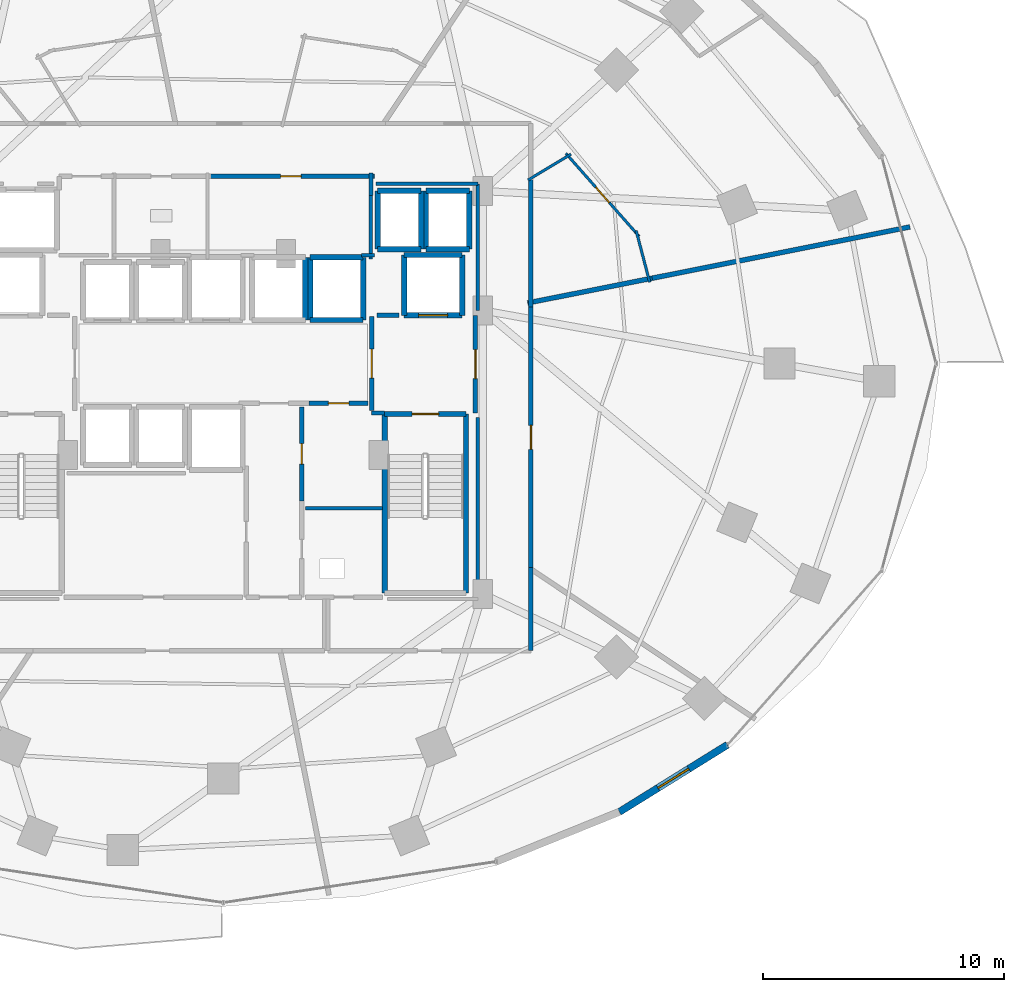
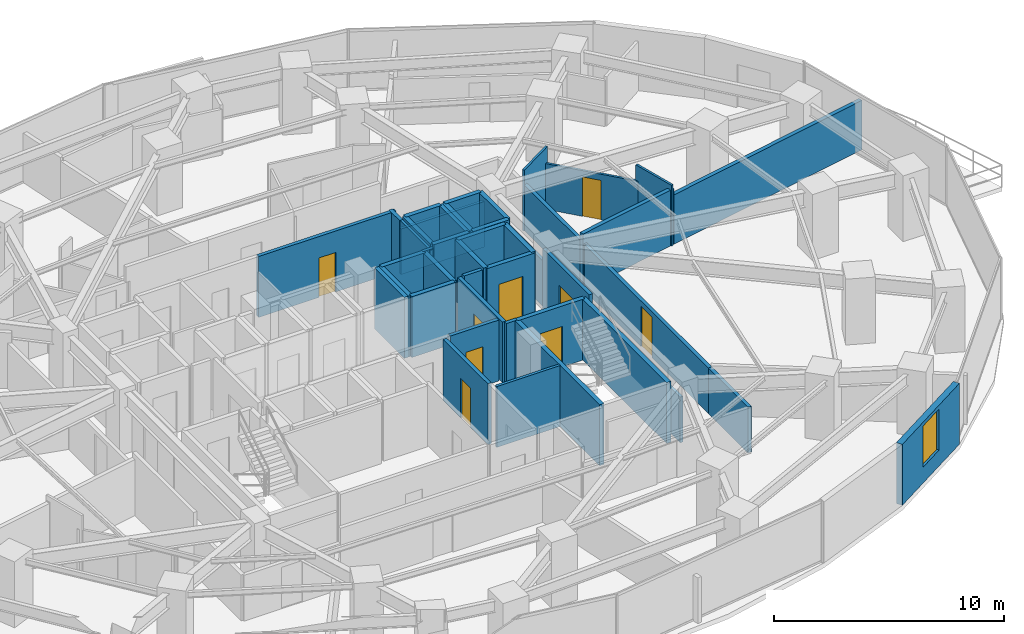
# One storey, part 28 of 33: 43 walls, 9 doors, 1 window, 10 openings.
"""IFC4 building model written with IfcOpenShell, lengths in metres."""

from ifc_helpers import new_model, si_unit, direction, frame, frame_2d, origin, place, context, subcontext, project, spatial, rectangle, extrude, material, layer, layer_set, type_object, element, fill, save


model = new_model("IFC4")

# Units and contexts
model_context = context("Model", 3, precision=1e-05, world=origin(), true_north=direction((0.0, 1.0)))
body_context = subcontext(model_context, "Body", "Model", "MODEL_VIEW")
ifc_project = project(units=[si_unit("LENGTHUNIT", "METRE"), si_unit("AREAUNIT", "SQUARE_METRE"), si_unit("VOLUMEUNIT", "CUBIC_METRE"), si_unit("PLANEANGLEUNIT", "RADIAN"), si_unit("MASSUNIT", "GRAM", prefix="KILO")], contexts=[model_context])

# Site, building, storey
site_placement = place(None, origin())
site = spatial("IfcSite", under=ifc_project, at=site_placement, CompositionType="ELEMENT")
building_placement = place(site_placement, origin())
building = spatial("IfcBuilding", under=site, at=building_placement, Name="Vorneva Point Tower", CompositionType="ELEMENT")
storey_placement = place(building_placement, frame((0.0, 0.0, 34.5)))
storey = spatial("IfcBuildingStorey", under=building, at=storey_placement, Name="L08", CompositionType="ELEMENT", Elevation=34.5)

# Wall, opening, door
ifc_material_1 = material(Name="Concrete B60 (C50/60)", Category="concrete")
ifc_layer_1 = layer(ifc_material_1, 0.5)
ifc_layer_set_1 = layer_set([ifc_layer_1], Name="Concrete B60 (C50/60)")
wall_type_1 = type_object("IfcWallType", Name="WL-CORE-500", PredefinedType="SHEAR", material=ifc_layer_set_1)
wall_1_placement = place(storey_placement, frame((45.5, 28.0, 0.0), z_axis=(0.0, 0.0, 1.0), x_axis=(1.0, 0.0, 0.0)))
wall_1 = element("IfcWall", 1, at=wall_1_placement, inside=storey, type_object=wall_type_1, Name="L08 Lift FFL2 Shaft Wall -Y", PredefinedType="SHEAR", context=body_context, shape_type="SweptSolid", body=[
    extrude(rectangle(XDim=2.39990234375, YDim=0.219970703125, at=frame_2d((1.199951171875, 0.0))), origin(), (0.0, 0.0, 1.0), 3.239990234375),
])
opening_1_placement = place(wall_1_placement, frame((0.60009765625, 0.0, 0.0)))
opening_1 = element("IfcOpeningElement", 2, at=opening_1_placement, cuts=wall_1, Name="Opening LD-02", PredefinedType="OPENING", context=body_context, shape_type="SweptSolid", body=[
    extrude(rectangle(XDim=1.199951171875, YDim=2.199951171875, at=frame_2d((0.60009765625, 1.10009765625))), frame((0.0, 0.125, 0.0), z_axis=(0.0, -1.0, 0.0), x_axis=(1.0, 0.0, 0.0)), (0.0, 0.0, 1.0), 0.249755859375),
])
ifc_material_2 = material(Name="Brushed stainless steel S304", Category="steel")
door_type_1 = type_object("IfcDoorType", Name="LD-FIRE-1200", OperationType="SLIDING_TO_LEFT", PredefinedType="DOOR", material=ifc_material_2)
door_1_placement = place(opening_1_placement, origin())
door_1 = element("IfcDoor", 3, at=door_1_placement, inside=storey, type_object=door_type_1, Name="L08 Lift FFL2 Sliding Landing Door", OperationType="SLIDING_TO_LEFT", OverallHeight=2.199951171875, OverallWidth=1.199951171875, PredefinedType="DOOR", context=body_context, shape_type="SweptSolid", body=[
    extrude(rectangle(XDim=1.199951171875, YDim=2.199951171875, at=frame_2d((0.60009765625, 1.10009765625))), frame((0.0, 0.02490234375, 0.0), z_axis=(0.0, -1.0, 0.0), x_axis=(1.0, 0.0, 0.0)), (0.0, 0.0, 1.0), 0.050048828125),
])
fill(opening_1, door_1)

# Walls
wall_2_placement = place(storey_placement, frame((47.89990234375, 28.0, 0.0), z_axis=(0.0, 0.0, 1.0), x_axis=(0.0, 1.0, 0.0)))
element("IfcWall", 4, at=wall_2_placement, inside=storey, type_object=wall_type_1, Name="L08 Lift FFL2 Shaft Wall +X", PredefinedType="SHEAR", context=body_context, shape_type="SweptSolid", body=[
    extrude(rectangle(XDim=2.5, YDim=0.219970703125, at=frame_2d((1.25, 0.0))), origin(), (0.0, 0.0, 1.0), 3.239990234375),
])
wall_3_placement = place(storey_placement, frame((47.89990234375, 30.5, 0.0), z_axis=(0.0, 0.0, 1.0), x_axis=(-1.0, 0.0, 0.0)))
element("IfcWall", 5, at=wall_3_placement, inside=storey, type_object=wall_type_1, Name="L08 Lift FFL2 Shaft Wall +Y", PredefinedType="SHEAR", context=body_context, shape_type="SweptSolid", body=[
    extrude(rectangle(XDim=2.39990234375, YDim=0.219970703125, at=frame_2d((1.199951171875, 0.0))), origin(), (0.0, 0.0, 1.0), 3.239990234375),
])
wall_4_placement = place(storey_placement, frame((45.5, 30.5, 0.0), z_axis=(0.0, 0.0, 1.0), x_axis=(0.0, -1.0, 0.0)))
element("IfcWall", 6, at=wall_4_placement, inside=storey, type_object=wall_type_1, Name="L08 Lift FFL2 Shaft Wall -X", PredefinedType="SHEAR", context=body_context, shape_type="SweptSolid", body=[
    extrude(rectangle(XDim=2.5, YDim=0.219970703125, at=frame_2d((1.25, 0.0))), origin(), (0.0, 0.0, 1.0), 3.239990234375),
])

# Wall, opening, window
ifc_material_3 = material(Name="Precast concrete B50 (C40/50)", Category="concrete")
ifc_layer_2 = layer(ifc_material_3, 0.300048828125)
ifc_layer_set_2 = layer_set([ifc_layer_2], Name="Precast concrete B50 (C40/50)")
wall_type_2 = type_object("IfcWallType", Name="WL-EXT-300", PredefinedType="STANDARD", material=ifc_layer_set_2)
wall_5_placement = place(storey_placement, frame((54.4169921875, 7.416748046875, 0.0), z_axis=(0.0, 0.0, 1.0), x_axis=(0.849633724826, 0.527373239404, 0.0)))
wall_5 = element("IfcWall", 7, at=wall_5_placement, inside=storey, type_object=wall_type_2, Name="L08 Pale-Metal Facade Spandrel Wall 14.2", PredefinedType="STANDARD", context=body_context, shape_type="SweptSolid", body=[
    extrude(rectangle(XDim=5.2705078125, YDim=0.300048828125, at=frame_2d((2.63525390625, 0.0))), origin(), (0.0, 0.0, 1.0), 3.239990234375),
])
opening_2_placement = place(wall_5_placement, frame((1.88525390625, 0.0, 0.85009765625)))
opening_2 = element("IfcOpeningElement", 8, at=opening_2_placement, cuts=wall_5, Name="Opening W-02", PredefinedType="OPENING", context=body_context, shape_type="SweptSolid", body=[
    extrude(rectangle(XDim=1.5, YDim=2.18994140625, at=frame_2d((0.75, 1.094970703125))), frame((0.0, 0.1650390625, 0.0), z_axis=(0.0, -1.0, 0.0), x_axis=(1.0, 0.0, 0.0)), (0.0, 0.0, 1.0), 0.329833984375),
])
ifc_material_4 = material(Name="Double low-e laminated glass IGU", Category="glass")
window_type = type_object("IfcWindowType", Name="WN-HTL-1500", PartitioningType="SINGLE_PANEL", PredefinedType="WINDOW", material=ifc_material_4)
window_placement = place(opening_2_placement, origin())
window = element("IfcWindow", 9, at=window_placement, inside=storey, type_object=window_type, Name="L08 Facade Window 14", OverallHeight=2.18994140625, OverallWidth=1.5, PartitioningType="SINGLE_PANEL", PredefinedType="WINDOW", context=body_context, shape_type="SweptSolid", body=[
    extrude(rectangle(XDim=1.5, YDim=2.18994140625, at=frame_2d((0.75, 1.094970703125))), frame((0.0, 0.030029296875, 0.0), z_axis=(0.0, -1.0, 0.0), x_axis=(1.0, 0.0, 0.0)), (0.0, 0.0, 1.0), 0.06005859375),
])
fill(opening_2, window)

# Wall
ifc_material_5 = material(Name="Fire-rated acoustic gypsum stud partition", Category="gypsum")
ifc_layer_3 = layer(ifc_material_5, 0.110107421875)
ifc_layer_set_3 = layer_set([ifc_layer_3], Name="Fire-rated acoustic gypsum stud partition")
wall_type_3 = type_object("IfcWallType", Name="WL-PART-110", PredefinedType="PARTITIONING", material=ifc_layer_set_3)
wall_6_placement = place(storey_placement, frame((50.630126953125, 33.603759765625, 0.0), z_axis=(0.0, 0.0, 1.0), x_axis=(0.856631627837, 0.515928535932, 0.0)))
element("IfcWall", 10, at=wall_6_placement, inside=storey, type_object=wall_type_3, Name="L08 Interior Partition 043", PredefinedType="PARTITIONING", context=body_context, shape_type="SweptSolid", body=[
    extrude(rectangle(XDim=2.078857421875, YDim=0.110107421875, at=frame_2d((1.03955078125, 0.0))), origin(), (0.0, 0.0, 1.0), 3.239990234375),
])

# Wall, opening, door
wall_7_placement = place(storey_placement, frame((52.1982421875, 34.708984375, 0.0), z_axis=(0.0, 0.0, 1.0), x_axis=(0.662071486681, -0.74944068913, 0.0)))
wall_7 = element("IfcWall", 11, at=wall_7_placement, inside=storey, type_object=wall_type_3, Name="L08 Interior Partition 044", PredefinedType="PARTITIONING", context=body_context, shape_type="SweptSolid", body=[
    extrude(rectangle(XDim=4.593994140625, YDim=0.110107421875, at=frame_2d((2.296875, 0.0))), origin(), (0.0, 0.0, 1.0), 2.431884765625),
])
opening_3_placement = place(wall_7_placement, frame((1.871826171875, 0.0, 0.0)))
opening_3 = element("IfcOpeningElement", 12, at=opening_3_placement, cuts=wall_7, Name="Opening ID-02", PredefinedType="OPENING", context=body_context, shape_type="SweptSolid", body=[
    extrude(rectangle(XDim=0.85009765625, YDim=2.10009765625, at=frame_2d((0.425048828125, 1.050048828125))), frame((0.0, 0.06982421875, 0.0), z_axis=(0.0, -1.0, 0.0), x_axis=(1.0, 0.0, 0.0)), (0.0, 0.0, 1.0), 0.139892578125),
])
ifc_material_6 = material(Name="Engineered oak fire-rated door leaf", Category="wood")
door_type_2 = type_object("IfcDoorType", Name="DR-BATH-850", OperationType="NOTDEFINED", PredefinedType="DOOR", material=ifc_material_6)
door_2_placement = place(opening_3_placement, origin())
door_2 = element("IfcDoor", 13, at=door_2_placement, inside=storey, type_object=door_type_2, Name="L08 Door Executive Suite L08-01 / En-Suite Bathroom L08-01", OperationType="SINGLE_SWING_RIGHT", OverallHeight=2.10009765625, OverallWidth=0.85009765625, PredefinedType="DOOR", context=body_context, shape_type="SweptSolid", body=[
    extrude(rectangle(XDim=0.85009765625, YDim=2.10009765625, at=frame_2d((0.425048828125, 1.050048828125))), frame((0.0, 0.02490234375, 0.0), z_axis=(0.0, -1.0, 0.0), x_axis=(1.0, 0.0, 0.0)), (0.0, 0.0, 1.0), 0.050048828125),
])
fill(opening_3, door_2)

# Walls
wall_8_placement = place(storey_placement, frame((55.111328125, 31.50634765625, 0.0), z_axis=(0.0, 0.0, 1.0), x_axis=(0.254389812051, -0.967101764823, 0.0)))
element("IfcWall", 14, at=wall_8_placement, inside=storey, type_object=wall_type_3, Name="L08 Interior Partition 045", PredefinedType="PARTITIONING", context=body_context, shape_type="SweptSolid", body=[
    extrude(rectangle(XDim=2.206298828125, YDim=0.110107421875, at=frame_2d((1.10302734375, 0.0))), origin(), (0.0, 0.0, 1.0), 3.239990234375),
])
ifc_layer_4 = layer(ifc_material_5, 0.139892578125)
ifc_layer_set_4 = layer_set([ifc_layer_4], Name="Fire-rated acoustic gypsum stud partition")
wall_type_4 = type_object("IfcWallType", Name="WL-PART-140", PredefinedType="PARTITIONING", material=ifc_layer_set_4)
wall_9_placement = place(storey_placement, frame((44.60009765625, 20.0, 0.0), z_axis=(0.0, 0.0, 1.0), x_axis=(-1.0, 0.0, 0.0)))
element("IfcWall", 15, at=wall_9_placement, inside=storey, type_object=wall_type_4, Name="L08 Interior Partition 015", PredefinedType="PARTITIONING", context=body_context, shape_type="SweptSolid", body=[
    extrude(rectangle(XDim=3.2001953125, YDim=0.139892578125, at=frame_2d((1.60009765625, 0.0))), origin(), (0.0, 0.0, 1.0), 3.239990234375),
])
wall_10_placement = place(storey_placement, frame((43.735107421875, 30.47998046875, 0.0), z_axis=(0.0, 0.0, 1.0), x_axis=(1.0, 0.0, 0.0)))
element("IfcWall", 16, at=wall_10_placement, inside=storey, type_object=wall_type_4, Name="L08 Interior Closure Partition 091", PredefinedType="PARTITIONING", context=body_context, shape_type="SweptSolid", body=[
    extrude(rectangle(XDim=0.52490234375, YDim=0.139892578125, at=frame_2d((0.262451171875, 0.0))), origin(), (0.0, 0.0, 1.0), 3.239990234375),
])
wall_11_placement = place(storey_placement, frame((44.1201171875, 30.340087890625, 0.0), z_axis=(0.0, 0.0, 1.0), x_axis=(0.0, 1.0, 0.0)))
element("IfcWall", 17, at=wall_11_placement, inside=storey, type_object=wall_type_4, Name="L08 Interior Closure Partition 092", PredefinedType="PARTITIONING", context=body_context, shape_type="SweptSolid", body=[
    extrude(rectangle(XDim=2.659912109375, YDim=0.139892578125, at=frame_2d((1.330078125, 0.0))), origin(), (0.0, 0.0, 1.0), 3.239990234375),
])
wall_12_placement = place(storey_placement, frame((44.340087890625, 33.449951171875, 0.0), z_axis=(0.0, 0.0, 1.0), x_axis=(1.0, 0.0, 0.0)))
element("IfcWall", 18, at=wall_12_placement, inside=storey, type_object=wall_type_4, Name="L08 Interior Closure Partition 094", PredefinedType="PARTITIONING", context=body_context, shape_type="SweptSolid", body=[
    extrude(rectangle(XDim=4.2099609375, YDim=0.139892578125, at=frame_2d((2.10498046875, 0.0))), origin(), (0.0, 0.0, 1.0), 2.431884765625),
])
wall_13_placement = place(storey_placement, frame((48.550048828125, 33.449951171875, 0.0), z_axis=(0.0, 0.0, 1.0), x_axis=(0.0, -1.0, 0.0)))
element("IfcWall", 19, at=wall_13_placement, inside=storey, type_object=wall_type_4, Name="L08 Interior Closure Partition 095", PredefinedType="PARTITIONING", context=body_context, shape_type="SweptSolid", body=[
    extrude(rectangle(XDim=5.25390625, YDim=0.139892578125, at=frame_2d((2.626953125, 0.0))), origin(), (0.0, 0.0, 1.0), 2.431884765625),
])
wall_14_placement = place(storey_placement, frame((48.550048828125, 23.75390625, 0.0), z_axis=(0.0, 0.0, 1.0), x_axis=(0.0, -1.0, 0.0)))
element("IfcWall", 20, at=wall_14_placement, inside=storey, type_object=wall_type_4, Name="L08 Interior Closure Partition 096", PredefinedType="PARTITIONING", context=body_context, shape_type="SweptSolid", body=[
    extrude(rectangle(XDim=7.513916015625, YDim=0.139892578125, at=frame_2d((3.7568359375, 0.0))), origin(), (0.0, 0.0, 1.0), 2.431884765625),
])

# Wall, opening, door
ifc_material_7 = material(Name="Autoclaved aerated concrete blockwork", Category="masonry")
ifc_layer_5 = layer(ifc_material_7, 0.179931640625)
ifc_layer_set_5 = layer_set([ifc_layer_5], Name="Autoclaved aerated concrete blockwork")
wall_type_5 = type_object("IfcWallType", Name="WL-PART-180", PredefinedType="PARTITIONING", material=ifc_layer_set_5)
wall_15_placement = place(storey_placement, frame((44.14990234375, 27.955078125, 0.0), z_axis=(0.0, 0.0, 1.0), x_axis=(0.0, -1.0, 0.0)))
wall_15 = element("IfcWall", 21, at=wall_15_placement, inside=storey, type_object=wall_type_5, Name="L08 Interior Partition 003", PredefinedType="PARTITIONING", context=body_context, shape_type="SweptSolid", body=[
    extrude(rectangle(XDim=3.91015625, YDim=0.179931640625, at=frame_2d((1.955078125, 0.0))), origin(), (0.0, 0.0, 1.0), 3.239990234375),
])
opening_4_placement = place(wall_15_placement, frame((1.35498046875, 0.0, 0.0)))
opening_4 = element("IfcOpeningElement", 22, at=opening_4_placement, cuts=wall_15, Name="Opening FD-02", PredefinedType="OPENING", context=body_context, shape_type="SweptSolid", body=[
    extrude(rectangle(XDim=1.199951171875, YDim=2.14990234375, at=frame_2d((0.60009765625, 1.074951171875))), frame((0.0, 0.10498046875, 0.0), z_axis=(0.0, -1.0, 0.0), x_axis=(1.0, 0.0, 0.0)), (0.0, 0.0, 1.0), 0.209716796875),
])
ifc_material_8 = material(Name="Fire-rated powder-coated steel", Category="steel")
door_type_3 = type_object("IfcDoorType", Name="DR-FFL-1200", OperationType="NOTDEFINED", PredefinedType="DOOR", material=ifc_material_8)
door_3_placement = place(opening_4_placement, origin())
door_3 = element("IfcDoor", 23, at=door_3_placement, inside=storey, type_object=door_type_3, Name="L08 Door East Firefighting Lobby / Central Lift Lobby", OperationType="SINGLE_SWING_RIGHT", OverallHeight=2.14990234375, OverallWidth=1.199951171875, PredefinedType="DOOR", context=body_context, shape_type="SweptSolid", body=[
    extrude(rectangle(XDim=1.199951171875, YDim=2.14990234375, at=frame_2d((0.60009765625, 1.074951171875))), frame((0.0, 0.02490234375, 0.0), z_axis=(0.0, -1.0, 0.0), x_axis=(1.0, 0.0, 0.0)), (0.0, 0.0, 1.0), 0.050048828125),
])
fill(opening_4, door_3)

# Wall
wall_16_placement = place(storey_placement, frame((44.14990234375, 23.949951171875, 0.0), z_axis=(0.0, 0.0, 1.0), x_axis=(1.0, 0.0, 0.0)))
element("IfcWall", 24, at=wall_16_placement, inside=storey, type_object=wall_type_5, Name="L08 Interior Partition 004", PredefinedType="PARTITIONING", context=body_context, shape_type="SweptSolid", body=[
    extrude(rectangle(XDim=0.5400390625, YDim=0.179931640625, at=frame_2d((0.27001953125, 0.0))), origin(), (0.0, 0.0, 1.0), 3.239990234375),
])

# Wall, opening, door
wall_17_placement = place(storey_placement, frame((48.449951171875, 23.949951171875, 0.0), z_axis=(0.0, 0.0, 1.0), x_axis=(0.0, 1.0, 0.0)))
wall_17 = element("IfcWall", 25, at=wall_17_placement, inside=storey, type_object=wall_type_5, Name="L08 Interior Partition 005", PredefinedType="PARTITIONING", context=body_context, shape_type="SweptSolid", body=[
    extrude(rectangle(XDim=4.050048828125, YDim=0.179931640625, at=frame_2d((2.02490234375, 0.0))), origin(), (0.0, 0.0, 1.0), 3.239990234375),
])
opening_5_placement = place(wall_17_placement, frame((1.425048828125, 0.0, 0.0)))
opening_5 = element("IfcOpeningElement", 26, at=opening_5_placement, cuts=wall_17, Name="Opening FD-02", PredefinedType="OPENING", context=body_context, shape_type="SweptSolid", body=[
    extrude(rectangle(XDim=1.199951171875, YDim=2.14990234375, at=frame_2d((0.60009765625, 1.074951171875))), frame((0.0, 0.10498046875, 0.0), z_axis=(0.0, -1.0, 0.0), x_axis=(1.0, 0.0, 0.0)), (0.0, 0.0, 1.0), 0.209716796875),
])
door_4_placement = place(opening_5_placement, origin())
door_4 = element("IfcDoor", 27, at=door_4_placement, inside=storey, type_object=door_type_3, Name="L08 Door East Firefighting Lobby / L08 Circulation Corridor", OperationType="SINGLE_SWING_LEFT", OverallHeight=2.14990234375, OverallWidth=1.199951171875, PredefinedType="DOOR", context=body_context, shape_type="SweptSolid", body=[
    extrude(rectangle(XDim=1.199951171875, YDim=2.14990234375, at=frame_2d((0.60009765625, 1.074951171875))), frame((0.0, 0.02490234375, 0.0), z_axis=(0.0, -1.0, 0.0), x_axis=(1.0, 0.0, 0.0)), (0.0, 0.0, 1.0), 0.050048828125),
])
fill(opening_5, door_4)

wall_18_placement = place(storey_placement, frame((41.554931640625, 24.35009765625, 0.0), z_axis=(0.0, 0.0, 1.0), x_axis=(1.0, 0.0, 0.0)))
wall_18 = element("IfcWall", 28, at=wall_18_placement, inside=storey, type_object=wall_type_5, Name="L08 Interior Partition 010", PredefinedType="PARTITIONING", context=body_context, shape_type="SweptSolid", body=[
    extrude(rectangle(XDim=2.445068359375, YDim=0.179931640625, at=frame_2d((1.22265625, 0.0))), origin(), (0.0, 0.0, 1.0), 3.239990234375),
])
opening_6_placement = place(wall_18_placement, frame((0.797607421875, 0.0, 0.0)))
opening_6 = element("IfcOpeningElement", 29, at=opening_6_placement, cuts=wall_18, Name="Opening ID-02", PredefinedType="OPENING", context=body_context, shape_type="SweptSolid", body=[
    extrude(rectangle(XDim=0.85009765625, YDim=2.10009765625, at=frame_2d((0.425048828125, 1.050048828125))), frame((0.0, 0.10498046875, 0.0), z_axis=(0.0, -1.0, 0.0), x_axis=(1.0, 0.0, 0.0)), (0.0, 0.0, 1.0), 0.209716796875),
])
door_5_placement = place(opening_6_placement, origin())
door_5 = element("IfcDoor", 30, at=door_5_placement, inside=storey, type_object=door_type_2, Name="L08 Door Central Lift Lobby / Cleaners Store", OperationType="SINGLE_SWING_RIGHT", OverallHeight=2.10009765625, OverallWidth=0.85009765625, PredefinedType="DOOR", context=body_context, shape_type="SweptSolid", body=[
    extrude(rectangle(XDim=0.85009765625, YDim=2.10009765625, at=frame_2d((0.425048828125, 1.050048828125))), frame((0.0, 0.02490234375, 0.0), z_axis=(0.0, -1.0, 0.0), x_axis=(1.0, 0.0, 0.0)), (0.0, 0.0, 1.0), 0.050048828125),
])
fill(opening_6, door_5)

wall_19_placement = place(storey_placement, frame((41.25, 20.304931640625, 0.0), z_axis=(0.0, 0.0, 1.0), x_axis=(0.0, 1.0, 0.0)))
wall_19 = element("IfcWall", 31, at=wall_19_placement, inside=storey, type_object=wall_type_5, Name="L08 Interior Partition 012", PredefinedType="PARTITIONING", context=body_context, shape_type="SweptSolid", body=[
    extrude(rectangle(XDim=3.89501953125, YDim=0.179931640625, at=frame_2d((1.947509765625, 0.0))), origin(), (0.0, 0.0, 1.0), 3.239990234375),
])
opening_7_placement = place(wall_19_placement, frame((1.5224609375, 0.0, 0.0)))
opening_7 = element("IfcOpeningElement", 32, at=opening_7_placement, cuts=wall_19, Name="Opening ID-02", PredefinedType="OPENING", context=body_context, shape_type="SweptSolid", body=[
    extrude(rectangle(XDim=0.85009765625, YDim=2.10009765625, at=frame_2d((0.425048828125, 1.050048828125))), frame((0.0, 0.10498046875, 0.0), z_axis=(0.0, -1.0, 0.0), x_axis=(1.0, 0.0, 0.0)), (0.0, 0.0, 1.0), 0.209716796875),
])
door_6_placement = place(opening_7_placement, origin())
door_6 = element("IfcDoor", 33, at=door_6_placement, inside=storey, type_object=door_type_2, Name="L08 Door Core Service Lobby / Cleaners Store", OperationType="SINGLE_SWING_RIGHT", OverallHeight=2.10009765625, OverallWidth=0.85009765625, PredefinedType="DOOR", context=body_context, shape_type="SweptSolid", body=[
    extrude(rectangle(XDim=0.85009765625, YDim=2.10009765625, at=frame_2d((0.425048828125, 1.050048828125))), frame((0.0, 0.02490234375, 0.0), z_axis=(0.0, -1.0, 0.0), x_axis=(1.0, 0.0, 0.0)), (0.0, 0.0, 1.0), 0.050048828125),
])
fill(opening_7, door_6)

wall_20_placement = place(storey_placement, frame((44.260009765625, 33.760009765625, 0.0), z_axis=(0.0, 0.0, 1.0), x_axis=(-1.0, 0.0, 0.0)))
wall_20 = element("IfcWall", 34, at=wall_20_placement, inside=storey, type_object=wall_type_5, Name="L08 Interior Partition 019", PredefinedType="PARTITIONING", context=body_context, shape_type="SweptSolid", body=[
    extrude(rectangle(XDim=6.909912109375, YDim=0.179931640625, at=frame_2d((3.455078125, 0.0))), origin(), (0.0, 0.0, 1.0), 3.239990234375),
])
opening_8_placement = place(wall_20_placement, frame((3.030029296875, 0.0, 0.0)))
opening_8 = element("IfcOpeningElement", 35, at=opening_8_placement, cuts=wall_20, Name="Opening ID-02", PredefinedType="OPENING", context=body_context, shape_type="SweptSolid", body=[
    extrude(rectangle(XDim=0.85009765625, YDim=2.10009765625, at=frame_2d((0.425048828125, 1.050048828125))), frame((0.0, 0.10498046875, 0.0), z_axis=(0.0, -1.0, 0.0), x_axis=(1.0, 0.0, 0.0)), (0.0, 0.0, 1.0), 0.209716796875),
])
door_7_placement = place(opening_8_placement, origin())
door_7 = element("IfcDoor", 36, at=door_7_placement, inside=storey, type_object=door_type_2, Name="L08 Door Public Restroom / L08 Circulation Corridor", OperationType="SINGLE_SWING_LEFT", OverallHeight=2.10009765625, OverallWidth=0.85009765625, PredefinedType="DOOR", context=body_context, shape_type="SweptSolid", body=[
    extrude(rectangle(XDim=0.85009765625, YDim=2.10009765625, at=frame_2d((0.425048828125, 1.050048828125))), frame((0.0, 0.02490234375, 0.0), z_axis=(0.0, -1.0, 0.0), x_axis=(1.0, 0.0, 0.0)), (0.0, 0.0, 1.0), 0.050048828125),
])
fill(opening_8, door_7)

# Walls
wall_21_placement = place(storey_placement, frame((44.1201171875, 32.969970703125, 0.0), z_axis=(0.0, 0.0, 1.0), x_axis=(0.0, 1.0, 0.0)))
element("IfcWall", 37, at=wall_21_placement, inside=storey, type_object=wall_type_5, Name="L08 Interior Partition 020", PredefinedType="PARTITIONING", context=body_context, shape_type="SweptSolid", body=[
    extrude(rectangle(XDim=0.929931640625, YDim=0.179931640625, at=frame_2d((0.46484375, 0.0))), origin(), (0.0, 0.0, 1.0), 3.239990234375),
])
wall_22_placement = place(storey_placement, frame((50.75, 28.3359375, 0.0), z_axis=(0.0, 0.0, 1.0), x_axis=(0.0, 1.0, 0.0)))
element("IfcWall", 38, at=wall_22_placement, inside=storey, type_object=wall_type_5, Name="L08 Interior Partition 024", PredefinedType="PARTITIONING", context=body_context, shape_type="SweptSolid", body=[
    extrude(rectangle(XDim=5.420166015625, YDim=0.179931640625, at=frame_2d((2.7099609375, 0.0))), origin(), (0.0, 0.0, 1.0), 2.431884765625),
])
wall_23_placement = place(storey_placement, frame((50.75, 14.10009765625, 0.0), z_axis=(0.0, 0.0, 1.0), x_axis=(0.0, 1.0, 0.0)))
element("IfcWall", 39, at=wall_23_placement, inside=storey, type_object=wall_type_5, Name="L08 Interior Partition 039", PredefinedType="PARTITIONING", context=body_context, shape_type="SweptSolid", body=[
    extrude(rectangle(XDim=3.44091796875, YDim=0.179931640625, at=frame_2d((1.720458984375, 0.0))), origin(), (0.0, 0.0, 1.0), 2.431884765625),
])

# Wall, opening, door
wall_24_placement = place(storey_placement, frame((50.75, 17.541015625, 0.0), z_axis=(0.0, 0.0, 1.0), x_axis=(0.0, 1.0, 0.0)))
wall_24 = element("IfcWall", 40, at=wall_24_placement, inside=storey, type_object=wall_type_5, Name="L08 Interior Partition 042", PredefinedType="PARTITIONING", context=body_context, shape_type="SweptSolid", body=[
    extrude(rectangle(XDim=10.794921875, YDim=0.179931640625, at=frame_2d((5.3974609375, 0.0))), origin(), (0.0, 0.0, 1.0), 2.431884765625),
])
opening_9_placement = place(wall_24_placement, frame((4.8974609375, 0.0, 0.0)))
opening_9 = element("IfcOpeningElement", 41, at=opening_9_placement, cuts=wall_24, Name="Opening UD-01", PredefinedType="OPENING", context=body_context, shape_type="SweptSolid", body=[
    extrude(rectangle(XDim=1.0, YDim=2.14990234375, at=frame_2d((0.5, 1.074951171875))), frame((0.0, 0.10498046875, 0.0), z_axis=(0.0, -1.0, 0.0), x_axis=(1.0, 0.0, 0.0)), (0.0, 0.0, 1.0), 0.209716796875),
])
door_type_4 = type_object("IfcDoorType", Name="DR-UNIT-1000", OperationType="NOTDEFINED", PredefinedType="DOOR", material=ifc_material_6)
door_8_placement = place(opening_9_placement, origin())
door_8 = element("IfcDoor", 42, at=door_8_placement, inside=storey, type_object=door_type_4, Name="L08 Door L08 Circulation Corridor / Executive Meeting Room L08-08", OperationType="SINGLE_SWING_LEFT", OverallHeight=2.14990234375, OverallWidth=1.0, PredefinedType="DOOR", context=body_context, shape_type="SweptSolid", body=[
    extrude(rectangle(XDim=1.0, YDim=2.14990234375, at=frame_2d((0.5, 1.074951171875))), frame((0.0, 0.02490234375, 0.0), z_axis=(0.0, -1.0, 0.0), x_axis=(1.0, 0.0, 0.0)), (0.0, 0.0, 1.0), 0.050048828125),
])
fill(opening_9, door_8)

# Walls
wall_25_placement = place(storey_placement, frame((45.280029296875, 28.0, 0.0), z_axis=(0.0, 0.0, 1.0), x_axis=(-1.0, 0.0, 0.0)))
element("IfcWall", 43, at=wall_25_placement, inside=storey, type_object=wall_type_5, Name="L08 Interior Closure Partition 087", PredefinedType="PARTITIONING", context=body_context, shape_type="SweptSolid", body=[
    extrude(rectangle(XDim=0.9150390625, YDim=0.179931640625, at=frame_2d((0.45751953125, 0.0))), origin(), (0.0, 0.0, 1.0), 3.239990234375),
])
ifc_layer_6 = layer(ifc_material_7, 0.199951171875)
ifc_layer_set_6 = layer_set([ifc_layer_6], Name="Autoclaved aerated concrete blockwork")
wall_type_6 = type_object("IfcWallType", Name="WL-PART-200", PredefinedType="PARTITIONING", material=ifc_layer_set_6)
wall_26_placement = place(storey_placement, frame((55.636962890625, 29.508056640625, 0.0), z_axis=(0.0, 0.0, 1.0), x_axis=(0.980781844691, 0.195107593712, 0.0)))
element("IfcWall", 44, at=wall_26_placement, inside=storey, type_object=wall_type_6, Name="L08 Interior Partition 050", PredefinedType="PARTITIONING", context=body_context, shape_type="SweptSolid", body=[
    extrude(rectangle(XDim=11.0341796875, YDim=0.199951171875, at=frame_2d((5.51708984375, 0.0))), origin(), (0.0, 0.0, 1.0), 2.6240234375),
])
wall_27_placement = place(storey_placement, frame((50.61279296875, 28.5087890625, 0.0), z_axis=(0.0, 0.0, 1.0), x_axis=(0.980788877604, 0.195072236795, 0.0)))
element("IfcWall", 45, at=wall_27_placement, inside=storey, type_object=wall_type_6, Name="L08 Interior Partition 051", PredefinedType="PARTITIONING", context=body_context, shape_type="SweptSolid", body=[
    extrude(rectangle(XDim=5.2626953125, YDim=0.199951171875, at=frame_2d((2.63134765625, 0.0))), origin(), (0.0, 0.0, 1.0), 2.971923828125),
])

# Wall, opening, door
ifc_material_9 = material(Name="Concrete B50 (C40/50)", Category="concrete")
ifc_layer_7 = layer(ifc_material_9, 0.219970703125)
ifc_layer_set_7 = layer_set([ifc_layer_7], Name="Concrete B50 (C40/50)")
wall_type_7 = type_object("IfcWallType", Name="WL-SHFT-220", PredefinedType="SOLIDWALL", material=ifc_layer_set_7)
wall_28_placement = place(storey_placement, frame((44.68994140625, 23.909912109375, 0.0), z_axis=(0.0, 0.0, 1.0), x_axis=(1.0, 0.0, 0.0)))
wall_28 = element("IfcWall", 46, at=wall_28_placement, inside=storey, type_object=wall_type_7, Name="L08 Exit Stair ST2 Shaft Wall near", PredefinedType="SOLIDWALL", context=body_context, shape_type="SweptSolid", body=[
    extrude(rectangle(XDim=3.3701171875, YDim=0.219970703125, at=frame_2d((1.68505859375, 0.0))), origin(), (0.0, 0.0, 1.0), 3.239990234375),
])
opening_10_placement = place(wall_28_placement, frame((1.135009765625, 0.0, 0.0)))
opening_10 = element("IfcOpeningElement", 47, at=opening_10_placement, cuts=wall_28, Name="Opening FD-01", PredefinedType="OPENING", context=body_context, shape_type="SweptSolid", body=[
    extrude(rectangle(XDim=1.10009765625, YDim=2.14990234375, at=frame_2d((0.550048828125, 1.074951171875))), frame((0.0, 0.125, 0.0), z_axis=(0.0, -1.0, 0.0), x_axis=(1.0, 0.0, 0.0)), (0.0, 0.0, 1.0), 0.249755859375),
])
door_type_5 = type_object("IfcDoorType", Name="DR-STAIR-1100", OperationType="NOTDEFINED", PredefinedType="DOOR", material=ifc_material_8)
door_9_placement = place(opening_10_placement, origin())
door_9 = element("IfcDoor", 48, at=door_9_placement, inside=storey, type_object=door_type_5, Name="L08 Exit Stair ST2 Fire Door", OperationType="SINGLE_SWING_LEFT", OverallHeight=2.14990234375, OverallWidth=1.10009765625, PredefinedType="DOOR", context=body_context, shape_type="SweptSolid", body=[
    extrude(rectangle(XDim=1.10009765625, YDim=2.14990234375, at=frame_2d((0.550048828125, 1.074951171875))), frame((0.0, 0.02490234375, 0.0), z_axis=(0.0, -1.0, 0.0), x_axis=(1.0, 0.0, 0.0)), (0.0, 0.0, 1.0), 0.050048828125),
])
fill(opening_10, door_9)

# Walls
for number, where, z_axis, x_axis, name in (
    (49, (48.06005859375, 23.909912109375, 0.0), (0.0, 0.0, 1.0), (0.0, -1.0, 0.0), "L08 Exit Stair ST2 Shaft Wall right"),
    (50, (44.68994140625, 16.489990234375, 0.0), (0.0, 0.0, 1.0), (0.0, 1.0, 0.0), "L08 Exit Stair ST2 Shaft Wall left"),
):
    element("IfcWall", number, at=place(storey_placement, frame(where, z_axis=z_axis, x_axis=x_axis)), inside=storey, type_object=wall_type_7, Name=name, PredefinedType="SOLIDWALL", context=body_context, shape_type="SweptSolid", body=[
        extrude(rectangle(XDim=7.419921875, YDim=0.219970703125, at=frame_2d((3.7099609375, 0.0))), origin(), (0.0, 0.0, 1.0), 3.239990234375),
    ])
wall_29_placement = place(storey_placement, frame((41.39990234375, 27.800048828125, 0.0), z_axis=(0.0, 0.0, 1.0), x_axis=(0.0, 1.0, 0.0)))
element("IfcWall", 51, at=wall_29_placement, inside=storey, type_object=wall_type_7, Name="L08 Lift PL7 Shaft Wall +X", PredefinedType="SOLIDWALL", context=body_context, shape_type="SweptSolid", body=[
    extrude(rectangle(XDim=2.599853515625, YDim=0.219970703125, at=frame_2d((1.2998046875, 0.0))), origin(), (0.0, 0.0, 1.0), 3.239990234375),
])
wall_30_placement = place(storey_placement, frame((41.60009765625, 27.800048828125, 0.0), z_axis=(0.0, 0.0, 1.0), x_axis=(1.0, 0.0, 0.0)))
element("IfcWall", 52, at=wall_30_placement, inside=storey, type_object=wall_type_7, Name="L08 Lift PL8 Shaft Wall -Y", PredefinedType="SOLIDWALL", context=body_context, shape_type="SweptSolid", body=[
    extrude(rectangle(XDim=2.199951171875, YDim=0.219970703125, at=frame_2d((1.10009765625, 0.0))), origin(), (0.0, 0.0, 1.0), 3.239990234375),
])
wall_31_placement = place(storey_placement, frame((43.800048828125, 27.800048828125, 0.0), z_axis=(0.0, 0.0, 1.0), x_axis=(0.0, 1.0, 0.0)))
element("IfcWall", 53, at=wall_31_placement, inside=storey, type_object=wall_type_7, Name="L08 Lift PL8 Shaft Wall +X", PredefinedType="SOLIDWALL", context=body_context, shape_type="SweptSolid", body=[
    extrude(rectangle(XDim=2.599853515625, YDim=0.219970703125, at=frame_2d((1.2998046875, 0.0))), origin(), (0.0, 0.0, 1.0), 3.239990234375),
])
wall_32_placement = place(storey_placement, frame((43.800048828125, 30.39990234375, 0.0), z_axis=(0.0, 0.0, 1.0), x_axis=(-1.0, 0.0, 0.0)))
element("IfcWall", 54, at=wall_32_placement, inside=storey, type_object=wall_type_7, Name="L08 Lift PL8 Shaft Wall +Y", PredefinedType="SOLIDWALL", context=body_context, shape_type="SweptSolid", body=[
    extrude(rectangle(XDim=2.199951171875, YDim=0.219970703125, at=frame_2d((1.10009765625, 0.0))), origin(), (0.0, 0.0, 1.0), 3.239990234375),
])
wall_33_placement = place(storey_placement, frame((41.60009765625, 30.39990234375, 0.0), z_axis=(0.0, 0.0, 1.0), x_axis=(0.0, -1.0, 0.0)))
element("IfcWall", 55, at=wall_33_placement, inside=storey, type_object=wall_type_7, Name="L08 Lift PL8 Shaft Wall -X", PredefinedType="SOLIDWALL", context=body_context, shape_type="SweptSolid", body=[
    extrude(rectangle(XDim=2.599853515625, YDim=0.219970703125, at=frame_2d((1.2998046875, 0.0))), origin(), (0.0, 0.0, 1.0), 3.239990234375),
])
wall_34_placement = place(storey_placement, frame((44.39990234375, 30.739990234375, 0.0), z_axis=(0.0, 0.0, 1.0), x_axis=(1.0, 0.0, 0.0)))
element("IfcWall", 56, at=wall_34_placement, inside=storey, type_object=wall_type_7, Name="L08 Lift EX1 Shaft Wall -Y", PredefinedType="SOLIDWALL", context=body_context, shape_type="SweptSolid", body=[
    extrude(rectangle(XDim=1.800048828125, YDim=0.219970703125, at=frame_2d((0.89990234375, 0.0))), origin(), (0.0, 0.0, 1.0), 3.239990234375),
])
wall_35_placement = place(storey_placement, frame((46.199951171875, 30.739990234375, 0.0), z_axis=(0.0, 0.0, 1.0), x_axis=(0.0, 1.0, 0.0)))
element("IfcWall", 57, at=wall_35_placement, inside=storey, type_object=wall_type_7, Name="L08 Lift EX1 Shaft Wall +X", PredefinedType="SOLIDWALL", context=body_context, shape_type="SweptSolid", body=[
    extrude(rectangle(XDim=2.419921875, YDim=0.219970703125, at=frame_2d((1.2099609375, 0.0))), origin(), (0.0, 0.0, 1.0), 3.239990234375),
])
wall_36_placement = place(storey_placement, frame((46.199951171875, 33.159912109375, 0.0), z_axis=(0.0, 0.0, 1.0), x_axis=(-1.0, 0.0, 0.0)))
element("IfcWall", 58, at=wall_36_placement, inside=storey, type_object=wall_type_7, Name="L08 Lift EX1 Shaft Wall +Y", PredefinedType="SOLIDWALL", context=body_context, shape_type="SweptSolid", body=[
    extrude(rectangle(XDim=1.800048828125, YDim=0.219970703125, at=frame_2d((0.89990234375, 0.0))), origin(), (0.0, 0.0, 1.0), 3.239990234375),
])
wall_37_placement = place(storey_placement, frame((44.39990234375, 33.159912109375, 0.0), z_axis=(0.0, 0.0, 1.0), x_axis=(0.0, -1.0, 0.0)))
element("IfcWall", 59, at=wall_37_placement, inside=storey, type_object=wall_type_7, Name="L08 Lift EX1 Shaft Wall -X", PredefinedType="SOLIDWALL", context=body_context, shape_type="SweptSolid", body=[
    extrude(rectangle(XDim=2.419921875, YDim=0.219970703125, at=frame_2d((1.2099609375, 0.0))), origin(), (0.0, 0.0, 1.0), 3.239990234375),
])
wall_38_placement = place(storey_placement, frame((46.39990234375, 30.739990234375, 0.0), z_axis=(0.0, 0.0, 1.0), x_axis=(1.0, 0.0, 0.0)))
element("IfcWall", 60, at=wall_38_placement, inside=storey, type_object=wall_type_7, Name="L08 Lift EX2 Shaft Wall -Y", PredefinedType="SOLIDWALL", context=body_context, shape_type="SweptSolid", body=[
    extrude(rectangle(XDim=1.800048828125, YDim=0.219970703125, at=frame_2d((0.89990234375, 0.0))), origin(), (0.0, 0.0, 1.0), 3.239990234375),
])
wall_39_placement = place(storey_placement, frame((48.199951171875, 30.739990234375, 0.0), z_axis=(0.0, 0.0, 1.0), x_axis=(0.0, 1.0, 0.0)))
element("IfcWall", 61, at=wall_39_placement, inside=storey, type_object=wall_type_7, Name="L08 Lift EX2 Shaft Wall +X", PredefinedType="SOLIDWALL", context=body_context, shape_type="SweptSolid", body=[
    extrude(rectangle(XDim=2.419921875, YDim=0.219970703125, at=frame_2d((1.2099609375, 0.0))), origin(), (0.0, 0.0, 1.0), 3.239990234375),
])
wall_40_placement = place(storey_placement, frame((48.199951171875, 33.159912109375, 0.0), z_axis=(0.0, 0.0, 1.0), x_axis=(-1.0, 0.0, 0.0)))
element("IfcWall", 62, at=wall_40_placement, inside=storey, type_object=wall_type_7, Name="L08 Lift EX2 Shaft Wall +Y", PredefinedType="SOLIDWALL", context=body_context, shape_type="SweptSolid", body=[
    extrude(rectangle(XDim=1.800048828125, YDim=0.219970703125, at=frame_2d((0.89990234375, 0.0))), origin(), (0.0, 0.0, 1.0), 3.239990234375),
])
wall_41_placement = place(storey_placement, frame((46.39990234375, 33.159912109375, 0.0), z_axis=(0.0, 0.0, 1.0), x_axis=(0.0, -1.0, 0.0)))
element("IfcWall", 63, at=wall_41_placement, inside=storey, type_object=wall_type_7, Name="L08 Lift EX2 Shaft Wall -X", PredefinedType="SOLIDWALL", context=body_context, shape_type="SweptSolid", body=[
    extrude(rectangle(XDim=2.419921875, YDim=0.219970703125, at=frame_2d((1.2099609375, 0.0))), origin(), (0.0, 0.0, 1.0), 3.239990234375),
])

save(model, "model.ifc")
